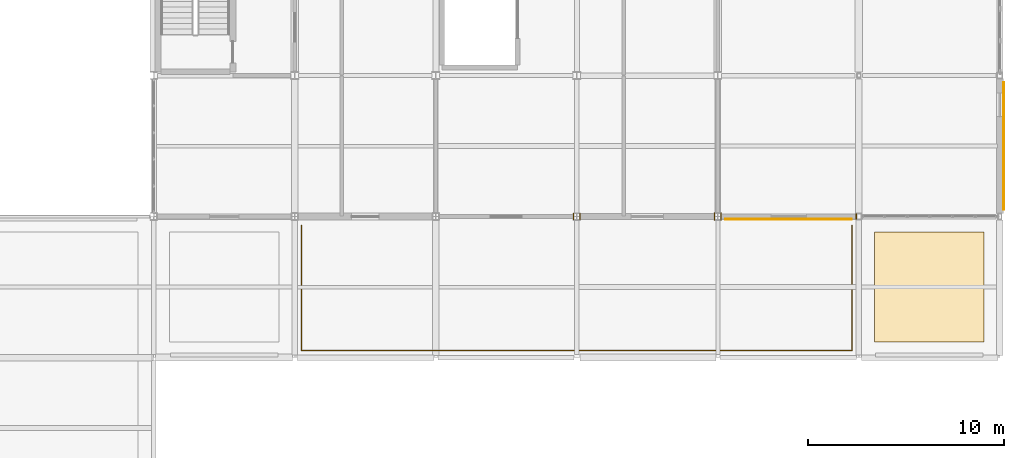
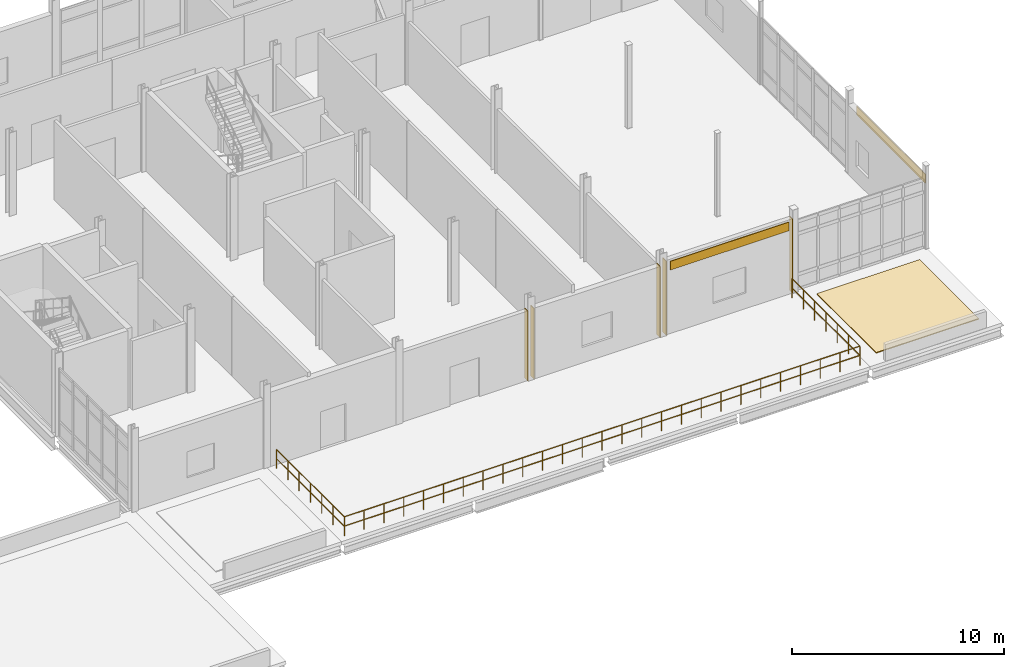
# One storey, part 151 of 153: 8 coverings, 1 railing.
"""IFC4 building model written with IfcOpenShell, lengths in metres."""

import ifcopenshell
import ifcopenshell.guid

model = None  # the IFC model being written
_history = None  # IfcOwnerHistory: only IFC2X3 demands one
_inside = {}  # id of a spatial element -> (the spatial element, [elements in it])
_under = {}  # id of a project, library or spatial element -> (it, [spatial elements below it])
_declared = {}  # id of a project -> (the project, [libraries it declares])
_typed = {}  # id of a type object -> (the type object, [elements of that type])
_made_of = {}  # id of a material, layer set ... -> (it, [elements and type objects made of it])


def new_model(schema):
    """Start an empty IFC model of exactly this schema.

    Asked for "IFC4X3", IfcOpenShell would pick the latest addendum, in which some entities
    have other attributes; the version numbers below select the first issue.
    IFC2X3 requires an IfcOwnerHistory on every rooted entity: one is made here for all.
    """
    global model, _history
    if schema == "IFC4X3":
        model = ifcopenshell.file(schema_version=(4, 3, 0, 0))
    else:
        model = ifcopenshell.file(schema=schema)
    _inside.clear()
    _under.clear()
    _declared.clear()
    _typed.clear()
    _made_of.clear()
    _history = None
    if model.schema == "IFC2X3":
        org = make("IfcOrganization", Name="unknown")
        user = make(
            "IfcPersonAndOrganization",
            ThePerson=make("IfcPerson", FamilyName="unknown"),
            TheOrganization=org,
        )
        app = make(
            "IfcApplication",
            ApplicationDeveloper=org,
            Version="unknown",
            ApplicationFullName="unknown",
            ApplicationIdentifier="unknown",
        )
        _history = make(
            "IfcOwnerHistory",
            OwningUser=user,
            OwningApplication=app,
            ChangeAction="ADDED",
            CreationDate=0,
        )
    return model


def make(cls, **values):
    """One entity of the class cls with the attributes given. An attribute that is None is left unset."""
    return model.create_entity(
        cls, **{name: value for name, value in values.items() if value is not None}
    )


def rooted(cls, **values):
    """An entity with a GlobalId (a new one), such as an element, a storey or a relation."""
    return make(cls, GlobalId=ifcopenshell.guid.new(), OwnerHistory=_history, **values)


def si_unit(unit_type, name, prefix=None):
    """IfcSIUnit, for example si_unit("LENGTHUNIT", "METRE", prefix="MILLI")."""
    return make("IfcSIUnit", UnitType=unit_type, Prefix=prefix, Name=name)


def assignment(units):
    """IfcUnitAssignment: the units of a project."""
    return None if units is None else make("IfcUnitAssignment", Units=units)


def point(xyz):
    """IfcCartesianPoint."""
    return None if xyz is None else make("IfcCartesianPoint", Coordinates=xyz)


def direction(xyz):
    """IfcDirection."""
    return None if xyz is None else make("IfcDirection", DirectionRatios=xyz)


def frame(location, z_axis=None, x_axis=None):
    """IfcAxis2Placement3D, a coordinate frame: its origin and axes. An axis left out is left unset."""
    return make(
        "IfcAxis2Placement3D",
        Location=point(location),
        Axis=direction(z_axis),
        RefDirection=direction(x_axis),
    )


def frame_2d(location, x_axis=None):
    """IfcAxis2Placement2D, a coordinate frame in the plane: its origin and x axis."""
    return make(
        "IfcAxis2Placement2D", Location=point(location), RefDirection=direction(x_axis)
    )


def origin():
    """The frame at (0, 0, 0) with its axes left unset."""
    return frame((0.0, 0.0, 0.0))


def origin_2d():
    """The frame at (0, 0) in the plane with its x axis left unset."""
    return frame_2d((0.0, 0.0))


def place(relative_to, where):
    """IfcLocalPlacement: puts the frame where relative to a parent placement (None: the world)."""
    return make(
        "IfcLocalPlacement", PlacementRelTo=relative_to, RelativePlacement=where
    )


def context(
    kind, dimensions, precision=None, world=None, true_north=None, identifier=None
):
    """IfcGeometricRepresentationContext, for example the 3D "Model" context."""
    return make(
        "IfcGeometricRepresentationContext",
        ContextIdentifier=identifier,
        ContextType=kind,
        CoordinateSpaceDimension=dimensions,
        Precision=precision,
        WorldCoordinateSystem=world,
        TrueNorth=true_north,
    )


def subcontext(parent, identifier, kind, view, scale=None):
    """IfcGeometricRepresentationSubContext, for example "Body" below "Model"."""
    return make(
        "IfcGeometricRepresentationSubContext",
        ContextIdentifier=identifier,
        ContextType=kind,
        ParentContext=parent,
        TargetScale=scale,
        TargetView=view,
    )


def project(units=None, contexts=None):
    """IfcProject with its units and contexts."""
    return rooted(
        "IfcProject",
        Name="project",
        RepresentationContexts=contexts,
        UnitsInContext=assignment(units),
    )


def spatial(cls, under=None, at=None, **own):
    """A site, building, storey or space (cls), placed at a placement, below another one or the project."""
    s = rooted(cls, ObjectPlacement=at, **own)
    if under is not None:
        _under.setdefault(under.id(), (under, []))[1].append(s)
    return s


def polyline(points):
    """IfcPolyline through the points."""
    return make("IfcPolyline", Points=[point(p) for p in points])


def profile(cls, at=None, kind="AREA", **sizes):
    """A parametric profile (cls). Its sizes go by their IFC names, for example OverallWidth=200.0."""
    return make(cls, ProfileType=kind, Position=at, **sizes)


def rectangle(**sizes):
    """IfcRectangleProfileDef."""
    return profile("IfcRectangleProfileDef", **sizes)


def circle(**sizes):
    """IfcCircleProfileDef."""
    return profile("IfcCircleProfileDef", **sizes)


def outline(outer, holes=None, kind="AREA"):
    """IfcArbitraryClosedProfileDef: a profile drawn as a closed curve; with holes, ...WithVoids."""
    if holes is None:
        return make("IfcArbitraryClosedProfileDef", ProfileType=kind, OuterCurve=outer)
    return make(
        "IfcArbitraryProfileDefWithVoids",
        ProfileType=kind,
        OuterCurve=outer,
        InnerCurves=holes,
    )


def extrude(swept, where, along, depth):
    """IfcExtrudedAreaSolid: the profile swept, set in the frame where, extruded along a direction by depth."""
    return make(
        "IfcExtrudedAreaSolid",
        SweptArea=swept,
        Position=where,
        ExtrudedDirection=direction(along),
        Depth=depth,
    )


def shape(context_of_items, identifier, shape_type, items):
    """IfcShapeRepresentation: the items that make up one representation, for example the "Body"."""
    return make(
        "IfcShapeRepresentation",
        ContextOfItems=context_of_items,
        RepresentationIdentifier=identifier,
        RepresentationType=shape_type,
        Items=items,
    )


def material(Name=None, Category=None):
    """IfcMaterial."""
    return make("IfcMaterial", Name=Name, Category=Category)


def layer(
    of_material, thickness, ventilated=None, Name=None, Category=None, Priority=None
):
    """IfcMaterialLayer: one layer of a wall or slab, of a material (None: an air gap)."""
    return make(
        "IfcMaterialLayer",
        Material=of_material,
        LayerThickness=thickness,
        IsVentilated=ventilated,
        Name=Name,
        Category=Category,
        Priority=Priority,
    )


def layer_set(layers, Name=None):
    """IfcMaterialLayerSet."""
    return make("IfcMaterialLayerSet", MaterialLayers=layers, LayerSetName=Name)


def made_of(thing, what):
    """Note that an element or type object is made of a material, layer set ...; save() writes the relation."""
    if what is not None:
        _made_of.setdefault(what.id(), (what, []))[1].append(thing)
    return thing


def type_object(cls, material=None, **own):
    """A type object (cls), such as IfcWallType, which elements share."""
    return made_of(rooted(cls, **own), material)


def element(
    cls,
    number,
    at=None,
    inside=None,
    cuts=None,
    type_object=None,
    material=None,
    context=None,
    identifier="Body",
    shape_type=None,
    held_by="IfcProductDefinitionShape",
    body=None,
    shapes=None,
    **own,
):
    """One element of the class cls, such as IfcWall. Its Tag is "e" and its number.

    at: its placement. inside: the storey or other place that contains it. cuts: it is an
    opening in that element (IfcRelVoidsElement). A single representation is given by context,
    identifier, shape_type and body (its items); several are given by shapes. held_by: the class
    of the entity that holds the representations. save() writes the other relations.
    """
    e = rooted(cls, Tag="e%d" % number, ObjectPlacement=at, **own)
    if body is not None:
        shapes = [shape(context, identifier, shape_type, body)]
    if shapes is not None:
        e.Representation = make(held_by, Representations=shapes)
    if inside is not None:
        _inside.setdefault(inside.id(), (inside, []))[1].append(e)
    if cuts is not None:
        rooted(
            "IfcRelVoidsElement", RelatingBuildingElement=cuts, RelatedOpeningElement=e
        )
    if type_object is not None:
        _typed.setdefault(type_object.id(), (type_object, []))[1].append(e)
    return made_of(e, material)


def aggregate(whole, parts):
    """IfcRelAggregates: a whole, such as a stair, and the parts it consists of."""
    return rooted("IfcRelAggregates", RelatingObject=whole, RelatedObjects=parts)


def save(model, path):
    """Write the relations noted so far, then the file.

    IfcRelAggregates (storeys below a building ...), IfcRelContainedInSpatialStructure (elements
    in a storey), IfcRelDefinesByType, IfcRelAssociatesMaterial and IfcRelDeclares: one each for
    every whole, place, type object, material and project.
    """
    for whole, parts in _under.values():
        aggregate(whole, parts)
    for where, things in _inside.values():
        rooted(
            "IfcRelContainedInSpatialStructure",
            RelatedElements=things,
            RelatingStructure=where,
        )
    for kind, things in _typed.values():
        rooted("IfcRelDefinesByType", RelatedObjects=things, RelatingType=kind)
    for what, things in _made_of.values():
        rooted("IfcRelAssociatesMaterial", RelatedObjects=things, RelatingMaterial=what)
    for by, libraries in _declared.values():
        rooted("IfcRelDeclares", RelatingContext=by, RelatedDefinitions=libraries)
    model.write(path)


model = new_model("IFC4")

# Units and contexts
model_context = context("Model", 3, precision=1e-05, world=origin(), true_north=direction((0.0, 1.0)))
body_context = subcontext(model_context, "Body", "Model", "MODEL_VIEW")
ifc_project = project(units=[si_unit("LENGTHUNIT", "METRE"), si_unit("AREAUNIT", "SQUARE_METRE"), si_unit("VOLUMEUNIT", "CUBIC_METRE"), si_unit("PLANEANGLEUNIT", "RADIAN"), si_unit("MASSUNIT", "GRAM", prefix="KILO")], contexts=[model_context])

# Site, building, storey
site_placement = place(None, origin())
site = spatial("IfcSite", under=ifc_project, at=site_placement, CompositionType="ELEMENT")
building_placement = place(site_placement, origin())
building = spatial("IfcBuilding", under=site, at=building_placement, Name="Calvrana Isthmian Art Gallery", CompositionType="ELEMENT")
storey_placement = place(building_placement, frame((0.0, 0.0, 10.199951171875)))
storey = spatial("IfcBuildingStorey", under=building, at=storey_placement, Name="L02", CompositionType="ELEMENT", Elevation=10.199951171875)

# Coverings
ifc_material_1 = material(Name="Polychrome glazed terracotta", Category="masonry")
ifc_layer_1 = layer(ifc_material_1, 0.0400390625, Name="Polychrome glazed terracotta")
ifc_layer_set_1 = layer_set([ifc_layer_1], Name="Polychrome glazed terracotta")
covering_type_1 = type_object("IfcCoveringType", Name="COV-CLAD-TERRA", PredefinedType="CLADDING", material=ifc_layer_set_1)
covering_1_placement = place(storey_placement, origin())
element("IfcCovering", 1, at=covering_1_placement, inside=storey, type_object=covering_type_1, Name="Column pocket weather closure L02-16-02-E", PredefinedType="CLADDING", context=body_context, shape_type="SweptSolid", body=[
    extrude(outline(polyline([(134.216064453125, 14.22705078125), (134.256103515625, 14.22705078125), (134.256103515625, 14.572998046875), (134.216064453125, 14.572998046875), (134.216064453125, 14.22705078125)])), origin(), (0.0, 0.0, 1.0), 4.007080078125),
])
covering_2_placement = place(storey_placement, origin())
element("IfcCovering", 2, at=covering_2_placement, inside=storey, type_object=covering_type_1, Name="Column pocket weather closure L02-17-02-W", PredefinedType="CLADDING", context=body_context, shape_type="SweptSolid", body=[
    extrude(outline(polyline([(134.5439453125, 14.22705078125), (134.583984375, 14.22705078125), (134.583984375, 14.572998046875), (134.5439453125, 14.572998046875), (134.5439453125, 14.22705078125)])), origin(), (0.0, 0.0, 1.0), 4.078125),
])
covering_3_placement = place(storey_placement, origin())
element("IfcCovering", 3, at=covering_3_placement, inside=storey, type_object=covering_type_1, Name="Column pocket weather closure L02-17-02-E", PredefinedType="CLADDING", context=body_context, shape_type="SweptSolid", body=[
    extrude(outline(polyline([(141.41357421875, 14.218505859375), (141.45361328125, 14.218505859375), (141.45361328125, 14.58154296875), (141.41357421875, 14.58154296875), (141.41357421875, 14.218505859375)])), origin(), (0.0, 0.0, 1.0), 4.078125),
])
covering_4_placement = place(storey_placement, origin())
element("IfcCovering", 4, at=covering_4_placement, inside=storey, type_object=covering_type_1, Name="Column pocket weather closure L02-18-02-W", PredefinedType="CLADDING", context=body_context, shape_type="SweptSolid", body=[
    extrude(outline(polyline([(141.74658203125, 14.218505859375), (141.78662109375, 14.218505859375), (141.78662109375, 14.58154296875), (141.74658203125, 14.58154296875), (141.74658203125, 14.218505859375)])), origin(), (0.0, 0.0, 1.0), 4.2861328125),
])
covering_5_placement = place(storey_placement, origin())
element("IfcCovering", 5, at=covering_5_placement, inside=storey, type_object=covering_type_1, Name="Column pocket weather closure L02-18-02-E", PredefinedType="CLADDING", context=body_context, shape_type="SweptSolid", body=[
    extrude(outline(polyline([(148.647705078125, 14.252685546875), (148.6875, 14.252685546875), (148.6875, 14.54736328125), (148.647705078125, 14.54736328125), (148.647705078125, 14.252685546875)])), origin(), (0.0, 0.0, 1.0), 4.2861328125),
])
covering_6_placement = place(storey_placement, frame((145.217041015625, 14.257080078125, 3.68603515625), z_axis=(0.0, 0.0, 1.0), x_axis=(-1.0, 0.0, 0.0)))
element("IfcCovering", 6, at=covering_6_placement, inside=storey, type_object=covering_type_1, Name="Terracotta spandrel cladding 115", PredefinedType="CLADDING", context=body_context, shape_type="SweptSolid", body=[
    extrude(rectangle(XDim=6.461181640625, YDim=0.0400390625, at=origin_2d()), origin(), (0.0, 0.0, 1.0), 0.5),
])
covering_7_placement = place(storey_placement, frame((156.193115234375, 18.0, 3.406982421875), z_axis=(0.0, 0.0, 1.0), x_axis=(0.0, -1.0, 0.0)))
element("IfcCovering", 7, at=covering_7_placement, inside=storey, type_object=covering_type_1, Name="Terracotta spandrel cladding 140", PredefinedType="CLADDING", context=body_context, shape_type="SweptSolid", body=[
    extrude(rectangle(XDim=6.4951171875, YDim=0.0400390625, at=origin_2d()), origin(), (0.0, 0.0, 1.0), 0.5),
])
ifc_material_2 = material(Name="Standing-seam zinc-aluminium roofing", Category="aluminium")
ifc_layer_2 = layer(ifc_material_2, 0.050048828125, Name="Standing-seam zinc-aluminium roofing")
ifc_layer_set_2 = layer_set([ifc_layer_2], Name="Standing-seam zinc-aluminium roofing")
covering_type_2 = type_object("IfcCoveringType", Name="COV-ROOF-ZINC", PredefinedType="ROOFING", material=ifc_layer_set_2)
covering_8_placement = place(storey_placement, origin())
element("IfcCovering", 8, at=covering_8_placement, inside=storey, type_object=covering_type_2, Name="Insulated roof membrane ROOF_V4SE_L02", PredefinedType="ROOFING", context=body_context, shape_type="SweptSolid", body=[
    extrude(outline(polyline([(149.60009765625, 8.0), (155.199951171875, 8.0), (155.199951171875, 13.60009765625), (149.60009765625, 13.60009765625), (149.60009765625, 8.0)])), origin(), (0.0, 0.0, 1.0), 0.050048828125),
])

# Railing
ifc_material_3 = material(Name="Anodized bronze aluminium 6063-T6", Category="aluminium")
railing_type = type_object("IfcRailingType", Name="RL-BAL-1120", PredefinedType="BALUSTRADE", material=ifc_material_3)
railing_placement = place(storey_placement, frame((120.35009765625, 13.949951171875, 0.0)))
element("IfcRailing", 9, at=railing_placement, inside=storey, type_object=railing_type, Name="Terrace balustrade GR-T04", PredefinedType="BALUSTRADE", context=body_context, shape_type="SweptSolid", body=[
    extrude(circle(Radius=0.02392578125, at=origin_2d()), frame((0.0, 0.0, 1.09619140625), z_axis=(0.0, -1.0, 0.0), x_axis=(1.0, 0.0, 0.0)), (0.0, 0.0, 1.0), 6.39990234375),
    extrude(circle(Radius=0.02392578125, at=origin_2d()), frame((0.0, 0.0, 0.56005859375), z_axis=(0.0, -1.0, 0.0), x_axis=(1.0, 0.0, 0.0)), (0.0, 0.0, 1.0), 6.39990234375),
    extrude(circle(Radius=0.02392578125, at=origin_2d()), frame((0.0, -6.39990234375, 1.09619140625), z_axis=(1.0, 0.0, 0.0), x_axis=(0.0, 1.0, 0.0)), (0.0, 0.0, 1.0), 28.099853515625),
    extrude(circle(Radius=0.02392578125, at=origin_2d()), frame((0.0, -6.39990234375, 0.56005859375), z_axis=(1.0, 0.0, 0.0), x_axis=(0.0, 1.0, 0.0)), (0.0, 0.0, 1.0), 28.099853515625),
    extrude(circle(Radius=0.02392578125, at=origin_2d()), frame((28.099853515625, -6.39990234375, 1.09619140625), z_axis=(0.0, 1.0, 0.0), x_axis=(-1.0, 0.0, 0.0)), (0.0, 0.0, 1.0), 6.39990234375),
    extrude(circle(Radius=0.02392578125, at=origin_2d()), frame((28.099853515625, -6.39990234375, 0.56005859375), z_axis=(0.0, 1.0, 0.0), x_axis=(-1.0, 0.0, 0.0)), (0.0, 0.0, 1.0), 6.39990234375),
    extrude(circle(Radius=0.02099609375, at=origin_2d()), origin(), (0.0, 0.0, 1.0), 1.072021484375),
    extrude(circle(Radius=0.02099609375, at=origin_2d()), frame((0.0, -1.066650390625, 0.0)), (0.0, 0.0, 1.0), 1.072021484375),
    extrude(circle(Radius=0.02099609375, at=origin_2d()), frame((0.0, -2.13330078125, 0.0)), (0.0, 0.0, 1.0), 1.072021484375),
    extrude(circle(Radius=0.02099609375, at=origin_2d()), frame((0.0, -3.199951171875, 0.0)), (0.0, 0.0, 1.0), 1.072021484375),
    extrude(circle(Radius=0.02099609375, at=origin_2d()), frame((0.0, -4.2666015625, 0.0)), (0.0, 0.0, 1.0), 1.072021484375),
    extrude(circle(Radius=0.02099609375, at=origin_2d()), frame((0.0, -5.333251953125, 0.0)), (0.0, 0.0, 1.0), 1.072021484375),
    extrude(circle(Radius=0.02099609375, at=origin_2d()), frame((0.0, -6.39990234375, 0.0)), (0.0, 0.0, 1.0), 1.072021484375),
    extrude(circle(Radius=0.02099609375, at=origin_2d()), frame((1.080810546875, -6.39990234375, 0.0)), (0.0, 0.0, 1.0), 1.072021484375),
    extrude(circle(Radius=0.02099609375, at=origin_2d()), frame((2.16162109375, -6.39990234375, 0.0)), (0.0, 0.0, 1.0), 1.072021484375),
    extrude(circle(Radius=0.02099609375, at=origin_2d()), frame((3.2421875, -6.39990234375, 0.0)), (0.0, 0.0, 1.0), 1.072021484375),
    extrude(circle(Radius=0.02099609375, at=origin_2d()), frame((4.322998046875, -6.39990234375, 0.0)), (0.0, 0.0, 1.0), 1.072021484375),
    extrude(circle(Radius=0.02099609375, at=origin_2d()), frame((5.40380859375, -6.39990234375, 0.0)), (0.0, 0.0, 1.0), 1.072021484375),
    extrude(circle(Radius=0.02099609375, at=origin_2d()), frame((6.484619140625, -6.39990234375, 0.0)), (0.0, 0.0, 1.0), 1.072021484375),
    extrude(circle(Radius=0.02099609375, at=origin_2d()), frame((7.5654296875, -6.39990234375, 0.0)), (0.0, 0.0, 1.0), 1.072021484375),
    extrude(circle(Radius=0.02099609375, at=origin_2d()), frame((8.64599609375, -6.39990234375, 0.0)), (0.0, 0.0, 1.0), 1.072021484375),
    extrude(circle(Radius=0.02099609375, at=origin_2d()), frame((9.726806640625, -6.39990234375, 0.0)), (0.0, 0.0, 1.0), 1.072021484375),
    extrude(circle(Radius=0.02099609375, at=origin_2d()), frame((10.8076171875, -6.39990234375, 0.0)), (0.0, 0.0, 1.0), 1.072021484375),
    extrude(circle(Radius=0.02099609375, at=origin_2d()), frame((11.888427734375, -6.39990234375, 0.0)), (0.0, 0.0, 1.0), 1.072021484375),
    extrude(circle(Radius=0.02099609375, at=origin_2d()), frame((12.96923828125, -6.39990234375, 0.0)), (0.0, 0.0, 1.0), 1.072021484375),
    extrude(circle(Radius=0.02099609375, at=origin_2d()), frame((14.0498046875, -6.39990234375, 0.0)), (0.0, 0.0, 1.0), 1.072021484375),
    extrude(circle(Radius=0.02099609375, at=origin_2d()), frame((15.130615234375, -6.39990234375, 0.0)), (0.0, 0.0, 1.0), 1.072021484375),
    extrude(circle(Radius=0.02099609375, at=origin_2d()), frame((16.21142578125, -6.39990234375, 0.0)), (0.0, 0.0, 1.0), 1.072021484375),
    extrude(circle(Radius=0.02099609375, at=origin_2d()), frame((17.292236328125, -6.39990234375, 0.0)), (0.0, 0.0, 1.0), 1.072021484375),
    extrude(circle(Radius=0.02099609375, at=origin_2d()), frame((18.373046875, -6.39990234375, 0.0)), (0.0, 0.0, 1.0), 1.072021484375),
    extrude(circle(Radius=0.02099609375, at=origin_2d()), frame((19.453857421875, -6.39990234375, 0.0)), (0.0, 0.0, 1.0), 1.072021484375),
    extrude(circle(Radius=0.02099609375, at=origin_2d()), frame((20.534423828125, -6.39990234375, 0.0)), (0.0, 0.0, 1.0), 1.072021484375),
    extrude(circle(Radius=0.02099609375, at=origin_2d()), frame((21.615234375, -6.39990234375, 0.0)), (0.0, 0.0, 1.0), 1.072021484375),
    extrude(circle(Radius=0.02099609375, at=origin_2d()), frame((22.696044921875, -6.39990234375, 0.0)), (0.0, 0.0, 1.0), 1.072021484375),
    extrude(circle(Radius=0.02099609375, at=origin_2d()), frame((23.77685546875, -6.39990234375, 0.0)), (0.0, 0.0, 1.0), 1.072021484375),
    extrude(circle(Radius=0.02099609375, at=origin_2d()), frame((24.857666015625, -6.39990234375, 0.0)), (0.0, 0.0, 1.0), 1.072021484375),
    extrude(circle(Radius=0.02099609375, at=origin_2d()), frame((25.938232421875, -6.39990234375, 0.0)), (0.0, 0.0, 1.0), 1.072021484375),
    extrude(circle(Radius=0.02099609375, at=origin_2d()), frame((27.01904296875, -6.39990234375, 0.0)), (0.0, 0.0, 1.0), 1.072021484375),
    extrude(circle(Radius=0.02099609375, at=origin_2d()), frame((28.099853515625, -6.39990234375, 0.0)), (0.0, 0.0, 1.0), 1.072021484375),
    extrude(circle(Radius=0.02099609375, at=origin_2d()), frame((28.099853515625, -5.333251953125, 0.0)), (0.0, 0.0, 1.0), 1.072021484375),
    extrude(circle(Radius=0.02099609375, at=origin_2d()), frame((28.099853515625, -4.2666015625, 0.0)), (0.0, 0.0, 1.0), 1.072021484375),
    extrude(circle(Radius=0.02099609375, at=origin_2d()), frame((28.099853515625, -3.199951171875, 0.0)), (0.0, 0.0, 1.0), 1.072021484375),
    extrude(circle(Radius=0.02099609375, at=origin_2d()), frame((28.099853515625, -2.13330078125, 0.0)), (0.0, 0.0, 1.0), 1.072021484375),
    extrude(circle(Radius=0.02099609375, at=origin_2d()), frame((28.099853515625, -1.066650390625, 0.0)), (0.0, 0.0, 1.0), 1.072021484375),
    extrude(circle(Radius=0.02099609375, at=origin_2d()), frame((28.099853515625, 0.0, 0.0)), (0.0, 0.0, 1.0), 1.072021484375),
])

save(model, "model.ifc")
